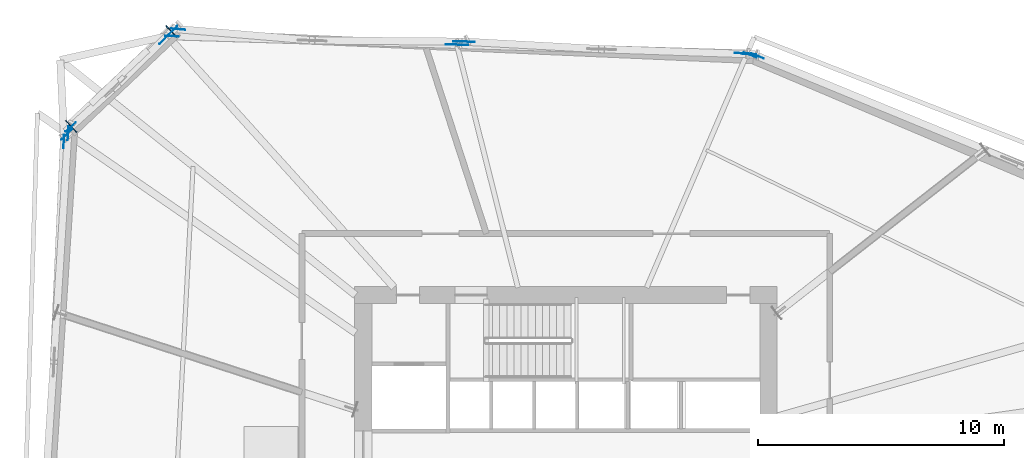
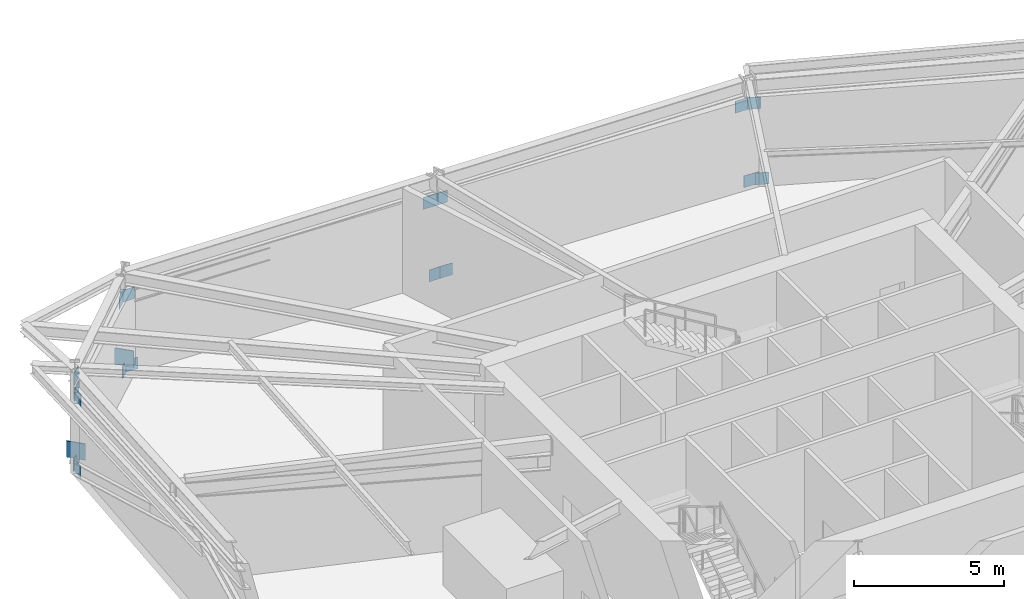
# One storey, part 7 of 15: 20 plates.
"""IFC4 building model written with IfcOpenShell, lengths in metres."""

from ifc_helpers import new_model, si_unit, direction, frame, origin, origin_2d, place, context, subcontext, project, spatial, rectangle, extrude, source, transform, mapped, material, type_object, element, save


model = new_model("IFC4")

# Units and contexts
model_context = context("Model", 3, precision=1e-05, world=origin(), true_north=direction((0.0, 1.0)))
body_context = subcontext(model_context, "Body", "Model", "MODEL_VIEW")
ifc_project = project(units=[si_unit("LENGTHUNIT", "METRE"), si_unit("AREAUNIT", "SQUARE_METRE"), si_unit("VOLUMEUNIT", "CUBIC_METRE"), si_unit("PLANEANGLEUNIT", "RADIAN"), si_unit("MASSUNIT", "GRAM", prefix="KILO")], contexts=[model_context])

# Site, building, storey
site_placement = place(None, origin())
site = spatial("IfcSite", under=ifc_project, at=site_placement, CompositionType="ELEMENT")
building_placement = place(site_placement, origin())
building = spatial("IfcBuilding", under=site, at=building_placement, Name="Olszyna Solenne Hotel", CompositionType="ELEMENT")
storey_placement = place(building_placement, frame((0.0, 0.0, 79.89990234375)))
storey = spatial("IfcBuildingStorey", under=building, at=storey_placement, Name="L20", CompositionType="ELEMENT", Elevation=79.89990234375)

# Plates
ifc_material_1 = material(Name="Steel S355J2", Category="steel")
plate_type_1 = type_object("IfcPlateType", Name="GP-ND2", PredefinedType="USERDEFINED", material=ifc_material_1)
shared_shape_1 = source(origin(), body_context, "Body", "SweptSolid", [
    extrude(rectangle(XDim=0.56005859375, YDim=0.02001953125, at=origin_2d()), origin(), (0.0, 0.0, 1.0), 0.47998046875),
])
for number, where, z_axis, x_axis, name in (
    (1, (21.974609375, 44.80517578125, -0.156005859375), (0.0, 0.0, 1.0), (-0.714228407531, -0.699912695896, 0.0), "Brace end connection gusset plate GP-ND2 EP-BR-L20-2-1"),
    (2, (17.65185546875, 40.568603515625, 3.606201171875), (0.0, 0.0, 1.0), (-0.714228407531, -0.699912695896, 0.0), "Brace end connection gusset plate GP-ND2 EP-BR-L20-2-2"),
    (3, (45.512451171875, 43.82177734375, 2.960205078125), (0.0, 0.0, 1.0), (-0.927379871015, 0.374121069757, 0.0), "Brace end connection gusset plate GP-ND2 EP-CH-L20-02-2"),
    (4, (45.8056640625, 43.78662109375, -0.182373046875), (0.0, 0.0, 1.0), (0.924811845594, -0.380424828643, 0.0), "Brace end connection gusset plate GP-ND2 EP-BT-L20-02-2-1"),
    (5, (45.16552734375, 43.89453125, 2.960205078125), (0.0, 0.0, 1.0), (-0.99954944375, 0.030015154483, 0.0), "Brace end connection gusset plate GP-ND2 EP-CH-L20-03-1"),
    (6, (33.7431640625, 44.238037109375, 2.960205078125), (0.0, 0.0, 1.0), (-0.99954944375, 0.030015154483, 0.0), "Brace end connection gusset plate GP-ND2 EP-CH-L20-03-2"),
    (7, (45.479736328125, 43.859619140625, -0.155517578125), (0.0, 0.0, 1.0), (-0.999414947917, 0.034201781837, 0.0), "Brace end connection gusset plate GP-ND2 EP-BT-L20-03-1-1"),
    (8, (34.01318359375, 44.362548828125, -0.150390625), (0.0, 0.0, 1.0), (0.998517732425, -0.054427364735, 0.0), "Brace end connection gusset plate GP-ND2 EP-BT-L20-03-2-1"),
    (9, (33.38330078125, 44.248779296875, 2.960205078125), (0.0, 0.0, 1.0), (-0.99954944375, 0.030015154483, 0.0), "Brace end connection gusset plate GP-ND2 EP-CH-L20-04-1"),
    (10, (21.960693359375, 44.592529296875, 2.960205078125), (0.0, 0.0, 1.0), (-0.99954944375, 0.030015154483, 0.0), "Brace end connection gusset plate GP-ND2 EP-CH-L20-04-2"),
    (11, (33.6875, 44.373779296875, -0.155517578125), (0.0, 0.0, 1.0), (-0.999969157645, 0.007853900889, 0.0), "Brace end connection gusset plate GP-ND2 EP-BT-L20-04-1-1"),
    (12, (22.220703125, 44.87646484375, -0.150634765625), (0.0, 0.0, 1.0), (0.996522007617, -0.083329996614, 0.0), "Brace end connection gusset plate GP-ND2 EP-BT-L20-04-2-1"),
    (13, (21.652099609375, 44.47216796875, 2.960205078125), (0.0, 0.0, 1.0), (-0.715692733704, -0.698415285431, 0.0), "Brace end connection gusset plate GP-ND2 EP-CH-L20-05-1"),
    (14, (17.69580078125, 40.611083984375, 2.960205078125), (0.0, 0.0, 1.0), (-0.715692733704, -0.698415285431, 0.0), "Brace end connection gusset plate GP-ND2 EP-CH-L20-05-2"),
    (15, (21.95849609375, 44.7900390625, -0.122802734375), (0.0, 0.0, 1.0), (-0.712760948402, -0.701407036201, 0.0), "Brace end connection gusset plate GP-ND2 EP-BT-L20-05-1-1"),
    (16, (17.83740234375, 40.89208984375, -0.11083984375), (0.0, 0.0, 1.0), (0.74396176791, 0.668222184522, 0.0), "Brace end connection gusset plate GP-ND2 EP-BT-L20-05-2-1"),
    (17, (17.558837890625, 40.305419921875, 2.960205078125), (0.0, 0.0, 1.0), (-0.045362988129, -0.998970569791, 0.0), "Brace end connection gusset plate GP-ND2 EP-CH-L20-06-1"),
    (18, (17.732177734375, 40.6337890625, -0.17529296875), (0.0, 0.0, 1.0), (-0.062267945373, -0.998059468659, 0.0), "Brace end connection gusset plate GP-ND2 EP-BT-L20-06-1-1"),
):
    element("IfcPlate", number, at=place(storey_placement, frame(where, z_axis=z_axis, x_axis=x_axis)), inside=storey, type_object=plate_type_1, Name=name, ObjectType="GUSSET_PLATE", PredefinedType="USERDEFINED", context=body_context, shape_type="MappedRepresentation", body=[
        mapped(shared_shape_1, transform((0.0, 0.0, 0.0), x_axis=(1.0, 0.0, 0.0), y_axis=(0.0, 1.0, 0.0), z_axis=(0.0, 0.0, 1.0), scale=1.0)),
    ])
ifc_material_2 = material(Name="Steel S460M", Category="steel")
plate_type_2 = type_object("IfcPlateType", Name="GP-CAP1", PredefinedType="USERDEFINED", material=ifc_material_2)
shared_shape_2 = source(origin(), body_context, "Body", "SweptSolid", [
    extrude(rectangle(XDim=0.0400390625, YDim=0.659912109375, at=origin_2d()), origin(), (0.0, 0.0, 1.0), 0.659912109375),
])
for number, where, z_axis, x_axis, name in (
    (19, (21.943115234375, 44.7783203125, 0.22021484375), (0.0, 0.0, 1.0), (-0.726574670971, -0.687087510804, 0.0), "Hollow section end-cap plate GP-CAP1 CP-CTB-CTB-L20-2-1"),
    (20, (17.859130859375, 40.916015625, 0.22021484375), (0.0, 0.0, 1.0), (-0.726574670971, -0.687087510804, 0.0), "Hollow section end-cap plate GP-CAP1 CP-CTB-CTB-L20-2-2"),
):
    element("IfcPlate", number, at=place(storey_placement, frame(where, z_axis=z_axis, x_axis=x_axis)), inside=storey, type_object=plate_type_2, Name=name, ObjectType="GUSSET_PLATE", PredefinedType="USERDEFINED", context=body_context, shape_type="MappedRepresentation", body=[
        mapped(shared_shape_2, transform((0.0, 0.0, 0.0), x_axis=(1.0, 0.0, 0.0), y_axis=(0.0, 1.0, 0.0), z_axis=(0.0, 0.0, 1.0), scale=1.0)),
    ])

save(model, "model.ifc")
